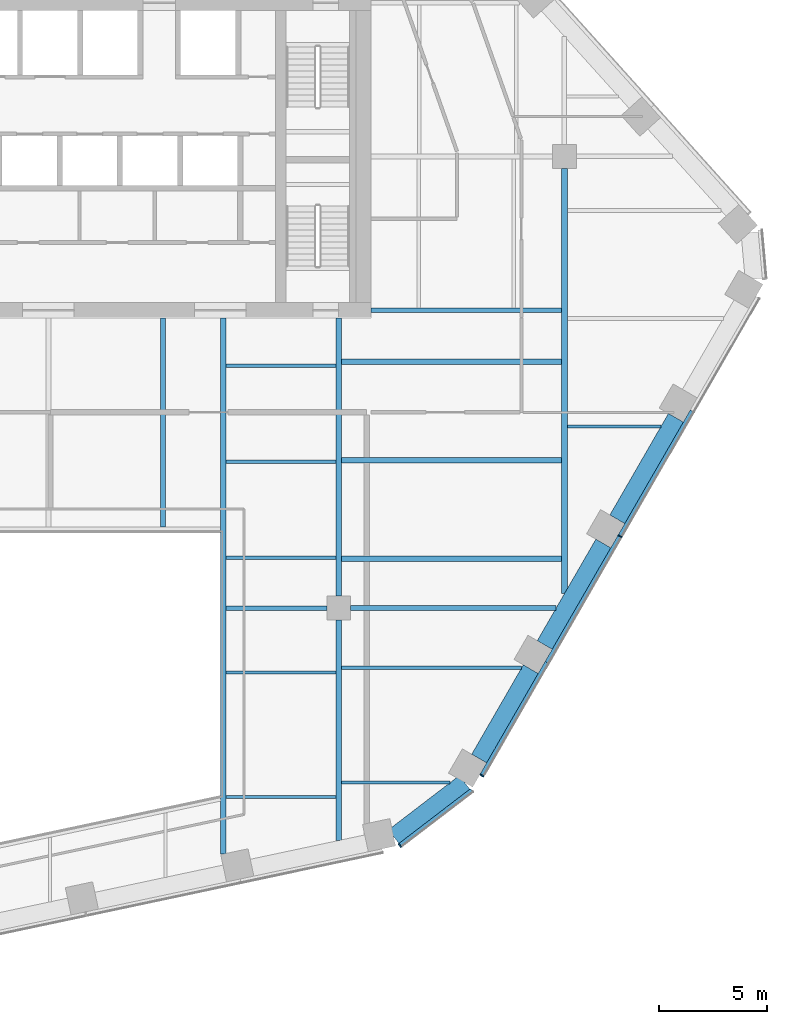
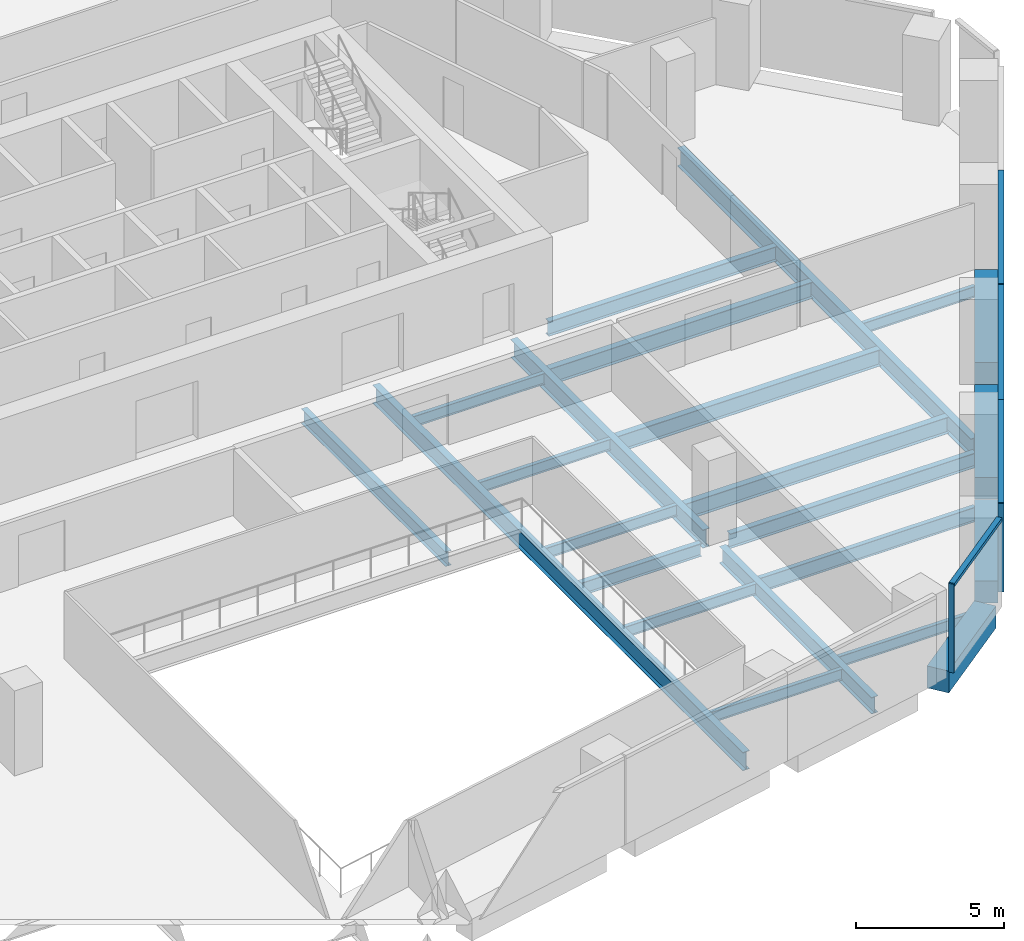
# One storey, part 5 of 17: 23 beams, 7 members, 2 elements without a shape of their own.
"""IFC4 building model written with IfcOpenShell, lengths in metres."""

import ifcopenshell
import ifcopenshell.guid

model = None  # the IFC model being written
_history = None  # IfcOwnerHistory: only IFC2X3 demands one
_inside = {}  # id of a spatial element -> (the spatial element, [elements in it])
_under = {}  # id of a project, library or spatial element -> (it, [spatial elements below it])
_declared = {}  # id of a project -> (the project, [libraries it declares])
_typed = {}  # id of a type object -> (the type object, [elements of that type])
_made_of = {}  # id of a material, layer set ... -> (it, [elements and type objects made of it])


def new_model(schema):
    """Start an empty IFC model of exactly this schema.

    Asked for "IFC4X3", IfcOpenShell would pick the latest addendum, in which some entities
    have other attributes; the version numbers below select the first issue.
    IFC2X3 requires an IfcOwnerHistory on every rooted entity: one is made here for all.
    """
    global model, _history
    if schema == "IFC4X3":
        model = ifcopenshell.file(schema_version=(4, 3, 0, 0))
    else:
        model = ifcopenshell.file(schema=schema)
    _inside.clear()
    _under.clear()
    _declared.clear()
    _typed.clear()
    _made_of.clear()
    _history = None
    if model.schema == "IFC2X3":
        org = make("IfcOrganization", Name="unknown")
        user = make(
            "IfcPersonAndOrganization",
            ThePerson=make("IfcPerson", FamilyName="unknown"),
            TheOrganization=org,
        )
        app = make(
            "IfcApplication",
            ApplicationDeveloper=org,
            Version="unknown",
            ApplicationFullName="unknown",
            ApplicationIdentifier="unknown",
        )
        _history = make(
            "IfcOwnerHistory",
            OwningUser=user,
            OwningApplication=app,
            ChangeAction="ADDED",
            CreationDate=0,
        )
    return model


def make(cls, **values):
    """One entity of the class cls with the attributes given. An attribute that is None is left unset."""
    return model.create_entity(
        cls, **{name: value for name, value in values.items() if value is not None}
    )


def rooted(cls, **values):
    """An entity with a GlobalId (a new one), such as an element, a storey or a relation."""
    return make(cls, GlobalId=ifcopenshell.guid.new(), OwnerHistory=_history, **values)


def si_unit(unit_type, name, prefix=None):
    """IfcSIUnit, for example si_unit("LENGTHUNIT", "METRE", prefix="MILLI")."""
    return make("IfcSIUnit", UnitType=unit_type, Prefix=prefix, Name=name)


def assignment(units):
    """IfcUnitAssignment: the units of a project."""
    return None if units is None else make("IfcUnitAssignment", Units=units)


def point(xyz):
    """IfcCartesianPoint."""
    return None if xyz is None else make("IfcCartesianPoint", Coordinates=xyz)


def direction(xyz):
    """IfcDirection."""
    return None if xyz is None else make("IfcDirection", DirectionRatios=xyz)


def frame(location, z_axis=None, x_axis=None):
    """IfcAxis2Placement3D, a coordinate frame: its origin and axes. An axis left out is left unset."""
    return make(
        "IfcAxis2Placement3D",
        Location=point(location),
        Axis=direction(z_axis),
        RefDirection=direction(x_axis),
    )


def frame_2d(location, x_axis=None):
    """IfcAxis2Placement2D, a coordinate frame in the plane: its origin and x axis."""
    return make(
        "IfcAxis2Placement2D", Location=point(location), RefDirection=direction(x_axis)
    )


def origin():
    """The frame at (0, 0, 0) with its axes left unset."""
    return frame((0.0, 0.0, 0.0))


def origin_2d():
    """The frame at (0, 0) in the plane with its x axis left unset."""
    return frame_2d((0.0, 0.0))


def place(relative_to, where):
    """IfcLocalPlacement: puts the frame where relative to a parent placement (None: the world)."""
    return make(
        "IfcLocalPlacement", PlacementRelTo=relative_to, RelativePlacement=where
    )


def context(
    kind, dimensions, precision=None, world=None, true_north=None, identifier=None
):
    """IfcGeometricRepresentationContext, for example the 3D "Model" context."""
    return make(
        "IfcGeometricRepresentationContext",
        ContextIdentifier=identifier,
        ContextType=kind,
        CoordinateSpaceDimension=dimensions,
        Precision=precision,
        WorldCoordinateSystem=world,
        TrueNorth=true_north,
    )


def subcontext(parent, identifier, kind, view, scale=None):
    """IfcGeometricRepresentationSubContext, for example "Body" below "Model"."""
    return make(
        "IfcGeometricRepresentationSubContext",
        ContextIdentifier=identifier,
        ContextType=kind,
        ParentContext=parent,
        TargetScale=scale,
        TargetView=view,
    )


def project(units=None, contexts=None):
    """IfcProject with its units and contexts."""
    return rooted(
        "IfcProject",
        Name="project",
        RepresentationContexts=contexts,
        UnitsInContext=assignment(units),
    )


def spatial(cls, under=None, at=None, **own):
    """A site, building, storey or space (cls), placed at a placement, below another one or the project."""
    s = rooted(cls, ObjectPlacement=at, **own)
    if under is not None:
        _under.setdefault(under.id(), (under, []))[1].append(s)
    return s


def profile(cls, at=None, kind="AREA", **sizes):
    """A parametric profile (cls). Its sizes go by their IFC names, for example OverallWidth=200.0."""
    return make(cls, ProfileType=kind, Position=at, **sizes)


def rectangle(**sizes):
    """IfcRectangleProfileDef."""
    return profile("IfcRectangleProfileDef", **sizes)


def i_section(**sizes):
    """IfcIShapeProfileDef."""
    return profile("IfcIShapeProfileDef", **sizes)


def extrude(swept, where, along, depth):
    """IfcExtrudedAreaSolid: the profile swept, set in the frame where, extruded along a direction by depth."""
    return make(
        "IfcExtrudedAreaSolid",
        SweptArea=swept,
        Position=where,
        ExtrudedDirection=direction(along),
        Depth=depth,
    )


def shape(context_of_items, identifier, shape_type, items):
    """IfcShapeRepresentation: the items that make up one representation, for example the "Body"."""
    return make(
        "IfcShapeRepresentation",
        ContextOfItems=context_of_items,
        RepresentationIdentifier=identifier,
        RepresentationType=shape_type,
        Items=items,
    )


def material(Name=None, Category=None):
    """IfcMaterial."""
    return make("IfcMaterial", Name=Name, Category=Category)


def layer(
    of_material, thickness, ventilated=None, Name=None, Category=None, Priority=None
):
    """IfcMaterialLayer: one layer of a wall or slab, of a material (None: an air gap)."""
    return make(
        "IfcMaterialLayer",
        Material=of_material,
        LayerThickness=thickness,
        IsVentilated=ventilated,
        Name=Name,
        Category=Category,
        Priority=Priority,
    )


def layer_set(layers, Name=None):
    """IfcMaterialLayerSet."""
    return make("IfcMaterialLayerSet", MaterialLayers=layers, LayerSetName=Name)


def material_profile(
    of_material, cross_section, Name=None, Category=None, Priority=None
):
    """IfcMaterialProfile: a cross section and its material."""
    return make(
        "IfcMaterialProfile",
        Name=Name,
        Material=of_material,
        Profile=cross_section,
        Priority=Priority,
        Category=Category,
    )


def profile_set(profiles, Name=None, composite=None):
    """IfcMaterialProfileSet."""
    return make(
        "IfcMaterialProfileSet",
        Name=Name,
        MaterialProfiles=profiles,
        CompositeProfile=composite,
    )


def made_of(thing, what):
    """Note that an element or type object is made of a material, layer set ...; save() writes the relation."""
    if what is not None:
        _made_of.setdefault(what.id(), (what, []))[1].append(thing)
    return thing


def type_object(cls, material=None, **own):
    """A type object (cls), such as IfcWallType, which elements share."""
    return made_of(rooted(cls, **own), material)


def element(
    cls,
    number,
    at=None,
    inside=None,
    cuts=None,
    type_object=None,
    material=None,
    context=None,
    identifier="Body",
    shape_type=None,
    held_by="IfcProductDefinitionShape",
    body=None,
    shapes=None,
    **own,
):
    """One element of the class cls, such as IfcWall. Its Tag is "e" and its number.

    at: its placement. inside: the storey or other place that contains it. cuts: it is an
    opening in that element (IfcRelVoidsElement). A single representation is given by context,
    identifier, shape_type and body (its items); several are given by shapes. held_by: the class
    of the entity that holds the representations. save() writes the other relations.
    """
    e = rooted(cls, Tag="e%d" % number, ObjectPlacement=at, **own)
    if body is not None:
        shapes = [shape(context, identifier, shape_type, body)]
    if shapes is not None:
        e.Representation = make(held_by, Representations=shapes)
    if inside is not None:
        _inside.setdefault(inside.id(), (inside, []))[1].append(e)
    if cuts is not None:
        rooted(
            "IfcRelVoidsElement", RelatingBuildingElement=cuts, RelatedOpeningElement=e
        )
    if type_object is not None:
        _typed.setdefault(type_object.id(), (type_object, []))[1].append(e)
    return made_of(e, material)


def aggregate(whole, parts):
    """IfcRelAggregates: a whole, such as a stair, and the parts it consists of."""
    return rooted("IfcRelAggregates", RelatingObject=whole, RelatedObjects=parts)


def save(model, path):
    """Write the relations noted so far, then the file.

    IfcRelAggregates (storeys below a building ...), IfcRelContainedInSpatialStructure (elements
    in a storey), IfcRelDefinesByType, IfcRelAssociatesMaterial and IfcRelDeclares: one each for
    every whole, place, type object, material and project.
    """
    for whole, parts in _under.values():
        aggregate(whole, parts)
    for where, things in _inside.values():
        rooted(
            "IfcRelContainedInSpatialStructure",
            RelatedElements=things,
            RelatingStructure=where,
        )
    for kind, things in _typed.values():
        rooted("IfcRelDefinesByType", RelatedObjects=things, RelatingType=kind)
    for what, things in _made_of.values():
        rooted("IfcRelAssociatesMaterial", RelatedObjects=things, RelatingMaterial=what)
    for by, libraries in _declared.values():
        rooted("IfcRelDeclares", RelatingContext=by, RelatedDefinitions=libraries)
    model.write(path)


model = new_model("IFC4")

# Units and contexts
model_context = context("Model", 3, precision=1e-05, world=origin(), true_north=direction((0.0, 1.0)))
body_context = subcontext(model_context, "Body", "Model", "MODEL_VIEW")
ifc_project = project(units=[si_unit("LENGTHUNIT", "METRE"), si_unit("AREAUNIT", "SQUARE_METRE"), si_unit("VOLUMEUNIT", "CUBIC_METRE"), si_unit("PLANEANGLEUNIT", "RADIAN"), si_unit("MASSUNIT", "GRAM", prefix="KILO")], contexts=[model_context])

# Site, building, storey
site_placement = place(None, origin())
site = spatial("IfcSite", under=ifc_project, at=site_placement, CompositionType="ELEMENT")
building_placement = place(site_placement, origin())
building = spatial("IfcBuilding", under=site, at=building_placement, Name="Isthmus Gate Tower", CompositionType="ELEMENT")
storey_placement = place(building_placement, frame((0.0, 0.0, 181.75)))
storey = spatial("IfcBuildingStorey", under=building, at=storey_placement, Name="L45", CompositionType="ELEMENT", Elevation=181.75)

# Curtain wall, member
ifc_material_1 = material(Name="Aluminium, pale champagne anodised", Category="aluminium")
ifc_layer = layer(ifc_material_1, 0.199951171875)
ifc_layer_set = layer_set([ifc_layer], Name="CW-1 UNITISED CURTAIN WALL 200 DEEP")
curtain_wall_type = type_object("IfcCurtainWallType", Name="CW-1 UNITISED CURTAIN WALL 200 DEEP", PredefinedType="NOTDEFINED", material=ifc_layer_set)
curtain_wall_1_placement = place(storey_placement, origin())
curtain_wall_1 = element("IfcCurtainWall", 1, at=curtain_wall_1_placement, inside=storey, type_object=curtain_wall_type, Name="CW-1 S-SE L45", PredefinedType="NOTDEFINED")
ifc_material_2 = material(Name="Aluminium, pale champagne anodised", Category="aluminium")
ifc_material_profile_1 = material_profile(ifc_material_2, rectangle(XDim=0.06005859375, YDim=0.199951171875, at=origin_2d()), Name="60x200")
ifc_profile_set_1 = profile_set([ifc_material_profile_1], Name="Aluminium, pale champagne anodised")
member_type_1 = type_object("IfcMemberType", Name="CW-1 MULLION 60 X 200", PredefinedType="MULLION", material=ifc_profile_set_1)
member_1_placement = place(storey_placement, frame((16.346435546875, -24.5419921875, 0.0), z_axis=(0.0, 0.0, 1.0), x_axis=(0.794188594387, 0.607671355706, 0.0)))
member_1 = element("IfcMember", 2, at=member_1_placement, type_object=member_type_1, Name="CW-1 mullion", PredefinedType="MULLION", context=body_context, shape_type="SweptSolid", body=[
    extrude(rectangle(XDim=0.06005859375, YDim=0.199951171875, at=origin_2d()), origin(), (0.0, 0.0, 1.0), 3.64990234375),
])

# Curtain wall, members
curtain_wall_2_placement = place(storey_placement, origin())
curtain_wall_2 = element("IfcCurtainWall", 3, at=curtain_wall_2_placement, inside=storey, type_object=curtain_wall_type, Name="CW-1 SE L45", PredefinedType="NOTDEFINED")
member_2_placement = place(storey_placement, frame((20.156005859375, -21.288818359375, 0.0), z_axis=(0.0, 0.0, 1.0), x_axis=(0.5, 0.866025403784, 0.0)))
member_2 = element("IfcMember", 4, at=member_2_placement, type_object=member_type_1, Name="CW-1 mullion", PredefinedType="MULLION", context=body_context, shape_type="SweptSolid", body=[
    extrude(rectangle(XDim=0.06005859375, YDim=0.199951171875, at=origin_2d()), origin(), (0.0, 0.0, 1.0), 3.64990234375),
])
member_3_placement = place(storey_placement, frame((26.5810546875, -10.16015625, 0.0), z_axis=(0.0, 0.0, 1.0), x_axis=(0.5, 0.866025403784, 0.0)))
member_3 = element("IfcMember", 5, at=member_3_placement, type_object=member_type_1, Name="CW-1 mullion", PredefinedType="MULLION", context=body_context, shape_type="SweptSolid", body=[
    extrude(rectangle(XDim=0.06005859375, YDim=0.199951171875, at=origin_2d()), origin(), (0.0, 0.0, 1.0), 3.64990234375),
])

# Member
ifc_material_3 = material(Name="Aluminium, pale champagne anodised", Category="aluminium")
ifc_material_profile_2 = material_profile(ifc_material_3, rectangle(XDim=0.199951171875, YDim=0.139892578125, at=origin_2d()), Name="200x140")
ifc_profile_set_2 = profile_set([ifc_material_profile_2], Name="Aluminium, pale champagne anodised")
member_type_2 = type_object("IfcMemberType", Name="CW-1 TRANSOM 200 X 140", PredefinedType="USERDEFINED", material=ifc_profile_set_2)
member_4_placement = place(storey_placement, frame((16.3701171875, -24.52392578125, 3.580078125), z_axis=(0.79419705805, 0.607660294066, 0.0), x_axis=(-0.607660294066, 0.79419705805, 0.0)))
member_4 = element("IfcMember", 6, at=member_4_placement, type_object=member_type_2, Name="CW-1 transom", ObjectType="TRANSOM", PredefinedType="USERDEFINED", context=body_context, shape_type="SweptSolid", body=[
    extrude(rectangle(XDim=0.199951171875, YDim=0.139892578125, at=origin_2d()), origin(), (0.0, 0.0, 1.0), 4.181640625),
])

aggregate(curtain_wall_1, [member_1, member_4])

member_5_placement = place(storey_placement, frame((20.171142578125, -21.2626953125, 3.580078125), z_axis=(0.499990697366, 0.866030774596, 0.0), x_axis=(-0.866030774596, 0.499990697366, 0.0)))
member_5 = element("IfcMember", 7, at=member_5_placement, type_object=member_type_2, Name="CW-1 transom", ObjectType="TRANSOM", PredefinedType="USERDEFINED", context=body_context, shape_type="SweptSolid", body=[
    extrude(rectangle(XDim=0.199951171875, YDim=0.139892578125, at=origin_2d()), origin(), (0.0, 0.0, 1.0), 6.0400390625),
])

member_6_placement = place(storey_placement, frame((23.191162109375, -16.03173828125, 3.580078125), z_axis=(0.499997969693, 0.866026575979, 0.0), x_axis=(-0.866026575979, 0.499997969693, 0.0)))
member_6 = element("IfcMember", 8, at=member_6_placement, type_object=member_type_2, Name="CW-1 transom", ObjectType="TRANSOM", PredefinedType="USERDEFINED", context=body_context, shape_type="SweptSolid", body=[
    extrude(rectangle(XDim=0.199951171875, YDim=0.139892578125, at=origin_2d()), origin(), (0.0, 0.0, 1.0), 6.75),
])

member_7_placement = place(storey_placement, frame((26.59619140625, -10.134033203125, 3.580078125), z_axis=(0.499997283838, 0.866026971956, 0.0), x_axis=(-0.866026971956, 0.499997283838, 0.0)))
member_7 = element("IfcMember", 9, at=member_7_placement, type_object=member_type_2, Name="CW-1 transom", ObjectType="TRANSOM", PredefinedType="USERDEFINED", context=body_context, shape_type="SweptSolid", body=[
    extrude(rectangle(XDim=0.199951171875, YDim=0.139892578125, at=origin_2d()), origin(), (0.0, 0.0, 1.0), 6.68994140625),
])

aggregate(curtain_wall_2, [member_2, member_5, member_6, member_3, member_7])

# Beams
ifc_material_4 = material(Name="Concrete f'c 60 MPa", Category="concrete")
ifc_material_profile_3 = material_profile(ifc_material_4, rectangle(XDim=0.800048828125, YDim=0.89990234375, at=origin_2d()), Name="RC 800X900")
ifc_profile_set_3 = profile_set([ifc_material_profile_3], Name="Concrete f'c 60 MPa")
beam_type_1 = type_object("IfcBeamType", Name="RC SPANDREL 800 X 900", PredefinedType="SPANDREL", material=ifc_profile_set_3)
beam_1_placement = place(storey_placement, frame((29.18310546875, -4.653076171875, -0.449951171875), z_axis=(-0.49996933381, -0.866043108194, 0.0), x_axis=(0.866043108194, -0.49996933381, 0.0)))
element("IfcBeam", 10, at=beam_1_placement, inside=storey, type_object=beam_type_1, Name="str-spandrel-L45-07", PredefinedType="SPANDREL", context=body_context, shape_type="SweptSolid", body=[
    extrude(rectangle(XDim=0.800048828125, YDim=0.89990234375, at=origin_2d()), origin(), (0.0, 0.0, 1.0), 5.449951171875),
])
beam_2_placement = place(storey_placement, frame((25.80810546875, -10.4990234375, -0.449951171875), z_axis=(-0.500002931134, -0.866023711487, 0.0), x_axis=(0.866023711487, -0.500002931134, 0.0)))
element("IfcBeam", 11, at=beam_2_placement, inside=storey, type_object=beam_type_1, Name="str-spandrel-L45-08", PredefinedType="SPANDREL", context=body_context, shape_type="SweptSolid", body=[
    extrude(rectangle(XDim=0.800048828125, YDim=0.89990234375, at=origin_2d()), origin(), (0.0, 0.0, 1.0), 5.4501953125),
])
beam_3_placement = place(storey_placement, frame((22.43310546875, -16.3447265625, -0.449951171875), z_axis=(-0.500017431331, -0.866015339567, 0.0), x_axis=(0.866015339567, -0.500017431331, 0.0)))
element("IfcBeam", 12, at=beam_3_placement, inside=storey, type_object=beam_type_1, Name="str-spandrel-L45-09", PredefinedType="SPANDREL", context=body_context, shape_type="SweptSolid", body=[
    extrude(rectangle(XDim=0.800048828125, YDim=0.89990234375, at=origin_2d()), origin(), (0.0, 0.0, 1.0), 4.800048828125),
])
beam_4_placement = place(storey_placement, frame((19.354248046875, -21.611083984375, -0.449951171875), z_axis=(-0.794205941875, -0.607648682949, 0.0), x_axis=(0.607648682949, -0.794205941875, 0.0)))
element("IfcBeam", 13, at=beam_4_placement, inside=storey, type_object=beam_type_1, Name="str-spandrel-L45-10", PredefinedType="SPANDREL", context=body_context, shape_type="SweptSolid", body=[
    extrude(rectangle(XDim=0.800048828125, YDim=0.89990234375, at=origin_2d()), origin(), (0.0, 0.0, 1.0), 4.15234375),
])
ifc_material_5 = material(Name="Structural steel ASTM A992 Gr 50", Category="steel")
ifc_material_profile_4 = material_profile(ifc_material_5, i_section(OverallWidth=0.15234375, OverallDepth=0.45068359375, WebThickness=0.0078125, FlangeThickness=0.010986328125, at=origin_2d()), Name="W18X35")
ifc_profile_set_4 = profile_set([ifc_material_profile_4], Name="Structural steel ASTM A992 Gr 50")
beam_type_2 = type_object("IfcBeamType", Name="STEEL FLOOR BEAM W18X35", PredefinedType="JOIST", material=ifc_profile_set_4)
for number, where, z_axis, x_axis, name in (
    (14, (8.263427734375, -22.291015625, -0.37548828125), (1.0, 0.0, 0.0), (0.0, 1.0, 0.0), "str-beam-L45-09-00"),
    (15, (8.263427734375, -16.500244140625, -0.37548828125), (1.0, 0.0, 0.0), (0.0, 1.0, 0.0), "str-beam-L45-09-01"),
):
    element("IfcBeam", number, at=place(storey_placement, frame(where, z_axis=z_axis, x_axis=x_axis)), inside=storey, type_object=beam_type_2, Name=name, PredefinedType="JOIST", context=body_context, shape_type="SweptSolid", body=[
        extrude(i_section(OverallWidth=0.15234375, OverallDepth=0.45068359375, WebThickness=0.0078125, FlangeThickness=0.010986328125, at=origin_2d()), origin(), (0.0, 0.0, 1.0), 5.109619140625),
    ])
for number, where, z_axis, x_axis, name in (
    (16, (8.263427734375, -11.16259765625, -0.37548828125), (1.0, 0.0, 0.0), (0.0, 1.0, 0.0), "str-beam-L45-10-00"),
    (17, (8.263427734375, -6.697509765625, -0.37548828125), (1.0, 0.0, 0.0), (0.0, 1.0, 0.0), "str-beam-L45-10-01"),
    (18, (8.263427734375, -2.232421875, -0.37548828125), (1.0, 0.0, 0.0), (0.0, 1.0, 0.0), "str-beam-L45-10-02"),
):
    element("IfcBeam", number, at=place(storey_placement, frame(where, z_axis=z_axis, x_axis=x_axis)), inside=storey, type_object=beam_type_2, Name=name, PredefinedType="JOIST", context=body_context, shape_type="SweptSolid", body=[
        extrude(i_section(OverallWidth=0.15234375, OverallDepth=0.45068359375, WebThickness=0.0078125, FlangeThickness=0.010986328125, at=origin_2d()), origin(), (0.0, 0.0, 1.0), 5.104736328125),
    ])
beam_5_placement = place(storey_placement, frame((13.626953125, -21.61767578125, -0.37548828125), z_axis=(1.0, 0.0, 0.0), x_axis=(0.0, 1.0, 0.0)))
element("IfcBeam", 19, at=beam_5_placement, inside=storey, type_object=beam_type_2, Name="str-beam-L45-11-00", PredefinedType="JOIST", context=body_context, shape_type="SweptSolid", body=[
    extrude(i_section(OverallWidth=0.15234375, OverallDepth=0.45068359375, WebThickness=0.0078125, FlangeThickness=0.010986328125, at=origin_2d()), origin(), (0.0, 0.0, 1.0), 5.060302734375),
])
beam_6_placement = place(storey_placement, frame((24.13330078125, -5.0625, -0.37548828125), z_axis=(1.0, 0.0, 0.0), x_axis=(0.0, 1.0, 0.0)))
element("IfcBeam", 20, at=beam_6_placement, inside=storey, type_object=beam_type_2, Name="str-beam-L45-16-00", PredefinedType="JOIST", context=body_context, shape_type="SweptSolid", body=[
    extrude(i_section(OverallWidth=0.15234375, OverallDepth=0.45068359375, WebThickness=0.0078125, FlangeThickness=0.010986328125, at=origin_2d()), origin(), (0.0, 0.0, 1.0), 4.351806640625),
])
ifc_material_6 = material(Name="Structural steel ASTM A992 Gr 50", Category="steel")
ifc_material_profile_5 = material_profile(ifc_material_6, i_section(OverallWidth=0.177734375, OverallDepth=0.60009765625, WebThickness=0.009521484375, FlangeThickness=0.0126953125, at=origin_2d()), Name="W24X55")
ifc_profile_set_5 = profile_set([ifc_material_profile_5], Name="Structural steel ASTM A992 Gr 50")
beam_type_3 = type_object("IfcBeamType", Name="STEEL FLOOR BEAM W24X55", PredefinedType="JOIST", material=ifc_profile_set_5)
beam_7_placement = place(storey_placement, frame((13.626953125, -16.2822265625, -0.449951171875), z_axis=(1.0, 0.0, 0.0), x_axis=(0.0, 1.0, 0.0)))
element("IfcBeam", 21, at=beam_7_placement, inside=storey, type_object=beam_type_3, Name="str-beam-L45-11-01", PredefinedType="JOIST", context=body_context, shape_type="SweptSolid", body=[
    extrude(i_section(OverallWidth=0.177734375, OverallDepth=0.60009765625, WebThickness=0.009521484375, FlangeThickness=0.0126953125, at=origin_2d()), origin(), (0.0, 0.0, 1.0), 8.38037109375),
])
ifc_material_7 = material(Name="Structural steel ASTM A992 Gr 50", Category="steel")
ifc_material_profile_6 = material_profile(ifc_material_7, i_section(OverallWidth=0.228515625, OverallDepth=0.603271484375, WebThickness=0.010986328125, FlangeThickness=0.014404296875, at=origin_2d()), Name="W24X68")
ifc_profile_set_6 = profile_set([ifc_material_profile_6], Name="Structural steel ASTM A992 Gr 50")
beam_type_4 = type_object("IfcBeamType", Name="STEEL FLOOR BEAM W24X68", PredefinedType="JOIST", material=ifc_profile_set_6)
beam_8_placement = place(storey_placement, frame((5.333251953125, -9.7333984375, -0.45166015625), z_axis=(0.0, 1.0, 0.0), x_axis=(-1.0, 0.0, 0.0)))
element("IfcBeam", 22, at=beam_8_placement, inside=storey, type_object=beam_type_4, Name="str-beam-L45-06-02", PredefinedType="JOIST", context=body_context, shape_type="SweptSolid", body=[
    extrude(i_section(OverallWidth=0.228515625, OverallDepth=0.603271484375, WebThickness=0.010986328125, FlangeThickness=0.014404296875, at=origin_2d()), origin(), (0.0, 0.0, 1.0), 9.7333984375),
])
ifc_material_8 = material(Name="Structural steel ASTM A992 Gr 50", Category="steel")
ifc_material_profile_7 = material_profile(ifc_material_8, i_section(OverallWidth=0.25390625, OverallDepth=0.679443359375, WebThickness=0.010986328125, FlangeThickness=0.015869140625, at=origin_2d()), Name="W27X84")
ifc_profile_set_7 = profile_set([ifc_material_profile_7], Name="Structural steel ASTM A992 Gr 50")
beam_type_5 = type_object("IfcBeamType", Name="STEEL FLOOR BEAM W27X84", PredefinedType="JOIST", material=ifc_profile_set_7)
for number, where, z_axis, x_axis, name in (
    (23, (13.6318359375, -11.210693359375, -0.48974609375), (1.0, 0.0, 0.0), (0.0, 1.0, 0.0), "str-beam-L45-12-00"),
    (24, (13.6318359375, -6.632080078125, -0.48974609375), (1.0, 0.0, 0.0), (0.0, 1.0, 0.0), "str-beam-L45-12-01"),
    (25, (13.6318359375, -2.053466796875, -0.48974609375), (1.0, 0.0, 0.0), (0.0, 1.0, 0.0), "str-beam-L45-12-02"),
):
    element("IfcBeam", number, at=place(storey_placement, frame(where, z_axis=z_axis, x_axis=x_axis)), inside=storey, type_object=beam_type_5, Name=name, PredefinedType="JOIST", context=body_context, shape_type="SweptSolid", body=[
        extrude(i_section(OverallWidth=0.25390625, OverallDepth=0.679443359375, WebThickness=0.010986328125, FlangeThickness=0.015869140625, at=origin_2d()), origin(), (0.0, 0.0, 1.0), 10.23486328125),
    ])
ifc_material_9 = material(Name="Structural steel ASTM A992 Gr 50", Category="steel")
ifc_material_profile_8 = material_profile(ifc_material_9, i_section(OverallWidth=0.20947265625, OverallDepth=0.533447265625, WebThickness=0.009521484375, FlangeThickness=0.015869140625, at=origin_2d()), Name="W21X62")
ifc_profile_set_8 = profile_set([ifc_material_profile_8], Name="Structural steel ASTM A992 Gr 50")
beam_type_6 = type_object("IfcBeamType", Name="STEEL GIRDER W21X62", PredefinedType="BEAM", material=ifc_profile_set_8)
beam_9_placement = place(storey_placement, frame((8.263427734375, -13.5, -0.416748046875), z_axis=(1.0, 0.0, 0.0), x_axis=(0.0, 1.0, 0.0)))
element("IfcBeam", 26, at=beam_9_placement, inside=storey, type_object=beam_type_6, Name="str-girder-L45-03", PredefinedType="BEAM", context=body_context, shape_type="SweptSolid", body=[
    extrude(i_section(OverallWidth=0.20947265625, OverallDepth=0.533447265625, WebThickness=0.009521484375, FlangeThickness=0.015869140625, at=origin_2d()), origin(), (0.0, 0.0, 1.0), 4.6865234375),
])
ifc_material_10 = material(Name="Structural steel ASTM A992 Gr 50", Category="steel")
ifc_material_profile_9 = material_profile(ifc_material_10, i_section(OverallWidth=0.228515625, OverallDepth=0.6064453125, WebThickness=0.010986328125, FlangeThickness=0.017578125, at=origin_2d()), Name="W24X76")
ifc_profile_set_9 = profile_set([ifc_material_profile_9], Name="Structural steel ASTM A992 Gr 50")
beam_type_7 = type_object("IfcBeamType", Name="STEEL GIRDER W24X76", PredefinedType="BEAM", material=ifc_profile_set_9)
beam_10_placement = place(storey_placement, frame((14.050048828125, -13.5, -0.453125), z_axis=(1.0, 0.0, 0.0), x_axis=(0.0, 1.0, 0.0)))
element("IfcBeam", 27, at=beam_10_placement, inside=storey, type_object=beam_type_7, Name="str-girder-L45-04", PredefinedType="BEAM", context=body_context, shape_type="SweptSolid", body=[
    extrude(i_section(OverallWidth=0.228515625, OverallDepth=0.6064453125, WebThickness=0.010986328125, FlangeThickness=0.017578125, at=origin_2d()), origin(), (0.0, 0.0, 1.0), 9.5634765625),
])
beam_11_placement = place(storey_placement, frame((15.0, 0.35009765625, -0.453125), z_axis=(1.0, 0.0, 0.0), x_axis=(0.0, 1.0, 0.0)))
element("IfcBeam", 28, at=beam_11_placement, inside=storey, type_object=beam_type_7, Name="str-girder-L45-14", PredefinedType="BEAM", context=body_context, shape_type="SweptSolid", body=[
    extrude(i_section(OverallWidth=0.228515625, OverallDepth=0.6064453125, WebThickness=0.010986328125, FlangeThickness=0.017578125, at=origin_2d()), origin(), (0.0, 0.0, 1.0), 8.86669921875),
])
ifc_material_11 = material(Name="Structural steel ASTM A992 Gr 50", Category="steel")
ifc_material_profile_10 = material_profile(ifc_material_11, i_section(OverallWidth=0.25390625, OverallDepth=0.679443359375, WebThickness=0.010986328125, FlangeThickness=0.015869140625, at=origin_2d()), Name="W27X84")
ifc_profile_set_10 = profile_set([ifc_material_profile_10], Name="Structural steel ASTM A992 Gr 50")
beam_type_8 = type_object("IfcBeamType", Name="STEEL GIRDER W27X84", PredefinedType="BEAM", material=ifc_profile_set_10)
beam_12_placement = place(storey_placement, frame((13.5, -24.3125, -0.48974609375), z_axis=(0.0, 1.0, 0.0), x_axis=(-1.0, 0.0, 0.0)))
element("IfcBeam", 29, at=beam_12_placement, inside=storey, type_object=beam_type_8, Name="str-girder-L45-09", PredefinedType="BEAM", context=body_context, shape_type="SweptSolid", body=[
    extrude(i_section(OverallWidth=0.25390625, OverallDepth=0.679443359375, WebThickness=0.010986328125, FlangeThickness=0.015869140625, at=origin_2d()), origin(), (0.0, 0.0, 1.0), 10.262451171875),
])
ifc_material_12 = material(Name="Structural steel ASTM A992 Gr 50", Category="steel")
ifc_material_profile_11 = material_profile(ifc_material_12, i_section(OverallWidth=0.2666015625, OverallDepth=0.7587890625, WebThickness=0.014404296875, FlangeThickness=0.01904296875, at=origin_2d()), Name="W30X108")
ifc_profile_set_11 = profile_set([ifc_material_profile_11], Name="Structural steel ASTM A992 Gr 50")
beam_type_9 = type_object("IfcBeamType", Name="STEEL GIRDER W30X108", PredefinedType="BEAM", material=ifc_profile_set_11)
beam_13_placement = place(storey_placement, frame((24.0, -12.830810546875, -0.529296875), z_axis=(0.0, 1.0, 0.0), x_axis=(-1.0, 0.0, 0.0)))
element("IfcBeam", 30, at=beam_13_placement, inside=storey, type_object=beam_type_9, Name="str-girder-L45-11", PredefinedType="BEAM", context=body_context, shape_type="SweptSolid", body=[
    extrude(i_section(OverallWidth=0.2666015625, OverallDepth=0.7587890625, WebThickness=0.014404296875, FlangeThickness=0.01904296875, at=origin_2d()), origin(), (0.0, 0.0, 1.0), 19.78076171875),
])
ifc_material_13 = material(Name="Structural steel ASTM A992 Gr 50", Category="steel")
ifc_material_profile_12 = material_profile(ifc_material_13, i_section(OverallWidth=0.263427734375, OverallDepth=0.749267578125, WebThickness=0.0126953125, FlangeThickness=0.015869140625, at=origin_2d()), Name="W30X90")
ifc_profile_set_12 = profile_set([ifc_material_profile_12], Name="Structural steel ASTM A992 Gr 50")
beam_type_10 = type_object("IfcBeamType", Name="STEEL GIRDER W30X90", PredefinedType="BEAM", material=ifc_profile_set_12)
beam_14_placement = place(storey_placement, frame((13.5, -12.949951171875, -0.524658203125), z_axis=(0.0, 1.0, 0.0), x_axis=(-1.0, 0.0, 0.0)))
element("IfcBeam", 31, at=beam_14_placement, inside=storey, type_object=beam_type_10, Name="str-girder-L45-10", PredefinedType="BEAM", context=body_context, shape_type="SweptSolid", body=[
    extrude(i_section(OverallWidth=0.263427734375, OverallDepth=0.749267578125, WebThickness=0.0126953125, FlangeThickness=0.015869140625, at=origin_2d()), origin(), (0.0, 0.0, 1.0), 12.949951171875),
])
ifc_material_14 = material(Name="Structural steel ASTM A992 Gr 50", Category="steel")
ifc_material_profile_13 = material_profile(ifc_material_14, i_section(OverallWidth=0.263427734375, OverallDepth=0.749267578125, WebThickness=0.0126953125, FlangeThickness=0.015869140625, at=origin_2d()), Name="W30X90")
ifc_profile_set_13 = profile_set([ifc_material_profile_13], Name="Structural steel ASTM A992 Gr 50")
beam_type_11 = type_object("IfcBeamType", Name="STEEL TRIMMER W30X90", PredefinedType="BEAM", material=ifc_profile_set_13)
beam_15_placement = place(storey_placement, frame((8.1318359375, -24.9423828125, -0.524658203125), z_axis=(0.0, 1.0, 0.0), x_axis=(-1.0, 0.0, 0.0)))
element("IfcBeam", 32, at=beam_15_placement, inside=storey, type_object=beam_type_11, Name="str-trimmer-L45-01", PredefinedType="BEAM", context=body_context, shape_type="SweptSolid", body=[
    extrude(i_section(OverallWidth=0.263427734375, OverallDepth=0.749267578125, WebThickness=0.0126953125, FlangeThickness=0.015869140625, at=origin_2d()), origin(), (0.0, 0.0, 1.0), 24.9423828125),
])

save(model, "model.ifc")
